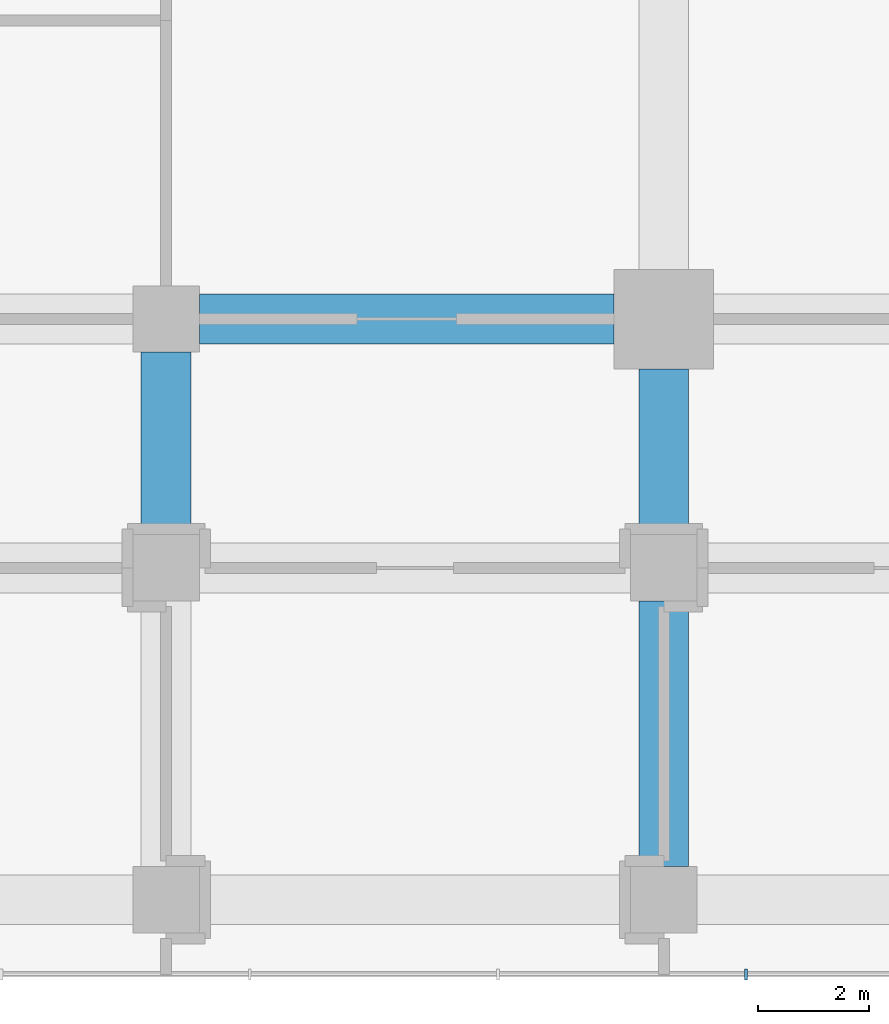
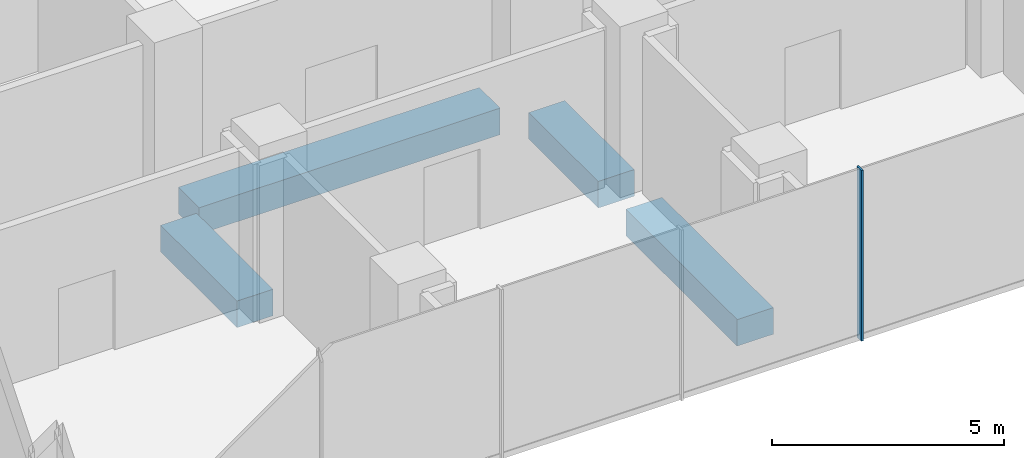
# One storey, part 6 of 43: 4 beams, 1 member, 1 element without a shape of its own.
"""IFC4 building model written with IfcOpenShell, lengths in metres."""

import ifcopenshell
import ifcopenshell.guid

model = None  # the IFC model being written
_history = None  # IfcOwnerHistory: only IFC2X3 demands one
_inside = {}  # id of a spatial element -> (the spatial element, [elements in it])
_under = {}  # id of a project, library or spatial element -> (it, [spatial elements below it])
_declared = {}  # id of a project -> (the project, [libraries it declares])
_typed = {}  # id of a type object -> (the type object, [elements of that type])
_made_of = {}  # id of a material, layer set ... -> (it, [elements and type objects made of it])


def new_model(schema):
    """Start an empty IFC model of exactly this schema.

    Asked for "IFC4X3", IfcOpenShell would pick the latest addendum, in which some entities
    have other attributes; the version numbers below select the first issue.
    IFC2X3 requires an IfcOwnerHistory on every rooted entity: one is made here for all.
    """
    global model, _history
    if schema == "IFC4X3":
        model = ifcopenshell.file(schema_version=(4, 3, 0, 0))
    else:
        model = ifcopenshell.file(schema=schema)
    _inside.clear()
    _under.clear()
    _declared.clear()
    _typed.clear()
    _made_of.clear()
    _history = None
    if model.schema == "IFC2X3":
        org = make("IfcOrganization", Name="unknown")
        user = make(
            "IfcPersonAndOrganization",
            ThePerson=make("IfcPerson", FamilyName="unknown"),
            TheOrganization=org,
        )
        app = make(
            "IfcApplication",
            ApplicationDeveloper=org,
            Version="unknown",
            ApplicationFullName="unknown",
            ApplicationIdentifier="unknown",
        )
        _history = make(
            "IfcOwnerHistory",
            OwningUser=user,
            OwningApplication=app,
            ChangeAction="ADDED",
            CreationDate=0,
        )
    return model


def make(cls, **values):
    """One entity of the class cls with the attributes given. An attribute that is None is left unset."""
    return model.create_entity(
        cls, **{name: value for name, value in values.items() if value is not None}
    )


def rooted(cls, **values):
    """An entity with a GlobalId (a new one), such as an element, a storey or a relation."""
    return make(cls, GlobalId=ifcopenshell.guid.new(), OwnerHistory=_history, **values)


def si_unit(unit_type, name, prefix=None):
    """IfcSIUnit, for example si_unit("LENGTHUNIT", "METRE", prefix="MILLI")."""
    return make("IfcSIUnit", UnitType=unit_type, Prefix=prefix, Name=name)


def assignment(units):
    """IfcUnitAssignment: the units of a project."""
    return None if units is None else make("IfcUnitAssignment", Units=units)


def point(xyz):
    """IfcCartesianPoint."""
    return None if xyz is None else make("IfcCartesianPoint", Coordinates=xyz)


def direction(xyz):
    """IfcDirection."""
    return None if xyz is None else make("IfcDirection", DirectionRatios=xyz)


def frame(location, z_axis=None, x_axis=None):
    """IfcAxis2Placement3D, a coordinate frame: its origin and axes. An axis left out is left unset."""
    return make(
        "IfcAxis2Placement3D",
        Location=point(location),
        Axis=direction(z_axis),
        RefDirection=direction(x_axis),
    )


def frame_2d(location, x_axis=None):
    """IfcAxis2Placement2D, a coordinate frame in the plane: its origin and x axis."""
    return make(
        "IfcAxis2Placement2D", Location=point(location), RefDirection=direction(x_axis)
    )


def origin():
    """The frame at (0, 0, 0) with its axes left unset."""
    return frame((0.0, 0.0, 0.0))


def origin_2d():
    """The frame at (0, 0) in the plane with its x axis left unset."""
    return frame_2d((0.0, 0.0))


def place(relative_to, where):
    """IfcLocalPlacement: puts the frame where relative to a parent placement (None: the world)."""
    return make(
        "IfcLocalPlacement", PlacementRelTo=relative_to, RelativePlacement=where
    )


def context(
    kind, dimensions, precision=None, world=None, true_north=None, identifier=None
):
    """IfcGeometricRepresentationContext, for example the 3D "Model" context."""
    return make(
        "IfcGeometricRepresentationContext",
        ContextIdentifier=identifier,
        ContextType=kind,
        CoordinateSpaceDimension=dimensions,
        Precision=precision,
        WorldCoordinateSystem=world,
        TrueNorth=true_north,
    )


def subcontext(parent, identifier, kind, view, scale=None):
    """IfcGeometricRepresentationSubContext, for example "Body" below "Model"."""
    return make(
        "IfcGeometricRepresentationSubContext",
        ContextIdentifier=identifier,
        ContextType=kind,
        ParentContext=parent,
        TargetScale=scale,
        TargetView=view,
    )


def project(units=None, contexts=None):
    """IfcProject with its units and contexts."""
    return rooted(
        "IfcProject",
        Name="project",
        RepresentationContexts=contexts,
        UnitsInContext=assignment(units),
    )


def spatial(cls, under=None, at=None, **own):
    """A site, building, storey or space (cls), placed at a placement, below another one or the project."""
    s = rooted(cls, ObjectPlacement=at, **own)
    if under is not None:
        _under.setdefault(under.id(), (under, []))[1].append(s)
    return s


def profile(cls, at=None, kind="AREA", **sizes):
    """A parametric profile (cls). Its sizes go by their IFC names, for example OverallWidth=200.0."""
    return make(cls, ProfileType=kind, Position=at, **sizes)


def rectangle(**sizes):
    """IfcRectangleProfileDef."""
    return profile("IfcRectangleProfileDef", **sizes)


def extrude(swept, where, along, depth):
    """IfcExtrudedAreaSolid: the profile swept, set in the frame where, extruded along a direction by depth."""
    return make(
        "IfcExtrudedAreaSolid",
        SweptArea=swept,
        Position=where,
        ExtrudedDirection=direction(along),
        Depth=depth,
    )


def shape(context_of_items, identifier, shape_type, items):
    """IfcShapeRepresentation: the items that make up one representation, for example the "Body"."""
    return make(
        "IfcShapeRepresentation",
        ContextOfItems=context_of_items,
        RepresentationIdentifier=identifier,
        RepresentationType=shape_type,
        Items=items,
    )


def material(Name=None, Category=None):
    """IfcMaterial."""
    return make("IfcMaterial", Name=Name, Category=Category)


def layer(
    of_material, thickness, ventilated=None, Name=None, Category=None, Priority=None
):
    """IfcMaterialLayer: one layer of a wall or slab, of a material (None: an air gap)."""
    return make(
        "IfcMaterialLayer",
        Material=of_material,
        LayerThickness=thickness,
        IsVentilated=ventilated,
        Name=Name,
        Category=Category,
        Priority=Priority,
    )


def layer_set(layers, Name=None):
    """IfcMaterialLayerSet."""
    return make("IfcMaterialLayerSet", MaterialLayers=layers, LayerSetName=Name)


def material_profile(
    of_material, cross_section, Name=None, Category=None, Priority=None
):
    """IfcMaterialProfile: a cross section and its material."""
    return make(
        "IfcMaterialProfile",
        Name=Name,
        Material=of_material,
        Profile=cross_section,
        Priority=Priority,
        Category=Category,
    )


def profile_set(profiles, Name=None, composite=None):
    """IfcMaterialProfileSet."""
    return make(
        "IfcMaterialProfileSet",
        Name=Name,
        MaterialProfiles=profiles,
        CompositeProfile=composite,
    )


def made_of(thing, what):
    """Note that an element or type object is made of a material, layer set ...; save() writes the relation."""
    if what is not None:
        _made_of.setdefault(what.id(), (what, []))[1].append(thing)
    return thing


def type_object(cls, material=None, **own):
    """A type object (cls), such as IfcWallType, which elements share."""
    return made_of(rooted(cls, **own), material)


def element(
    cls,
    number,
    at=None,
    inside=None,
    cuts=None,
    type_object=None,
    material=None,
    context=None,
    identifier="Body",
    shape_type=None,
    held_by="IfcProductDefinitionShape",
    body=None,
    shapes=None,
    **own,
):
    """One element of the class cls, such as IfcWall. Its Tag is "e" and its number.

    at: its placement. inside: the storey or other place that contains it. cuts: it is an
    opening in that element (IfcRelVoidsElement). A single representation is given by context,
    identifier, shape_type and body (its items); several are given by shapes. held_by: the class
    of the entity that holds the representations. save() writes the other relations.
    """
    e = rooted(cls, Tag="e%d" % number, ObjectPlacement=at, **own)
    if body is not None:
        shapes = [shape(context, identifier, shape_type, body)]
    if shapes is not None:
        e.Representation = make(held_by, Representations=shapes)
    if inside is not None:
        _inside.setdefault(inside.id(), (inside, []))[1].append(e)
    if cuts is not None:
        rooted(
            "IfcRelVoidsElement", RelatingBuildingElement=cuts, RelatedOpeningElement=e
        )
    if type_object is not None:
        _typed.setdefault(type_object.id(), (type_object, []))[1].append(e)
    return made_of(e, material)


def aggregate(whole, parts):
    """IfcRelAggregates: a whole, such as a stair, and the parts it consists of."""
    return rooted("IfcRelAggregates", RelatingObject=whole, RelatedObjects=parts)


def save(model, path):
    """Write the relations noted so far, then the file.

    IfcRelAggregates (storeys below a building ...), IfcRelContainedInSpatialStructure (elements
    in a storey), IfcRelDefinesByType, IfcRelAssociatesMaterial and IfcRelDeclares: one each for
    every whole, place, type object, material and project.
    """
    for whole, parts in _under.values():
        aggregate(whole, parts)
    for where, things in _inside.values():
        rooted(
            "IfcRelContainedInSpatialStructure",
            RelatedElements=things,
            RelatingStructure=where,
        )
    for kind, things in _typed.values():
        rooted("IfcRelDefinesByType", RelatedObjects=things, RelatingType=kind)
    for what, things in _made_of.values():
        rooted("IfcRelAssociatesMaterial", RelatedObjects=things, RelatingMaterial=what)
    for by, libraries in _declared.values():
        rooted("IfcRelDeclares", RelatingContext=by, RelatedDefinitions=libraries)
    model.write(path)


model = new_model("IFC4")

# Units and contexts
model_context = context("Model", 3, precision=1e-05, world=origin(), true_north=direction((0.0, 1.0)))
body_context = subcontext(model_context, "Body", "Model", "MODEL_VIEW")
ifc_project = project(units=[si_unit("LENGTHUNIT", "METRE"), si_unit("AREAUNIT", "SQUARE_METRE"), si_unit("VOLUMEUNIT", "CUBIC_METRE"), si_unit("PLANEANGLEUNIT", "RADIAN"), si_unit("MASSUNIT", "GRAM", prefix="KILO")], contexts=[model_context])

# Site, building, storey
site_placement = place(None, origin())
site = spatial("IfcSite", under=ifc_project, at=site_placement, CompositionType="ELEMENT")
building_placement = place(site_placement, origin())
building = spatial("IfcBuilding", under=site, at=building_placement, Name="Plateau Cross Towers", CompositionType="ELEMENT")
storey_placement = place(building_placement, frame((0.0, 0.0, 17.300048828125)))
storey = spatial("IfcBuildingStorey", under=building, at=storey_placement, Name="L03", CompositionType="ELEMENT", Elevation=17.300048828125)

# Curtain wall, member
ifc_material_1 = material(Name="Dark low-iron laminated glass", Category="glass")
ifc_layer = layer(ifc_material_1, 0.300048828125)
ifc_layer_set = layer_set([ifc_layer], Name="Dark low-iron laminated glass")
curtain_wall_type = type_object("IfcCurtainWallType", Name="Curtain wall structural silicone CW-C", PredefinedType="NOTDEFINED", material=ifc_layer_set)
curtain_wall_placement = place(storey_placement, origin())
curtain_wall = element("IfcCurtainWall", 1, at=curtain_wall_placement, inside=storey, type_object=curtain_wall_type, Name="ENV/P/L03/P-28_-118", PredefinedType="NOTDEFINED")
ifc_material_2 = material(Name="Black anodised aluminium", Category="aluminium")
ifc_material_profile_1 = material_profile(ifc_material_2, rectangle(XDim=0.050048828125, YDim=0.199951171875, at=origin_2d()), Name="MULLION 50x200")
ifc_profile_set_1 = profile_set([ifc_material_profile_1], Name="Black anodised aluminium")
member_type = type_object("IfcMemberType", Name="Mullion 50x200 structural silicone", PredefinedType="MULLION", material=ifc_profile_set_1)
member_placement = place(storey_placement, frame((55.487548828125, -11.85009765625, -0.35009765625), z_axis=(0.0, 0.0, 1.0), x_axis=(1.0, 0.0, 0.0)))
member = element("IfcMember", 2, at=member_placement, type_object=member_type, Name="CW-C mullion 14", PredefinedType="MULLION", context=body_context, shape_type="SweptSolid", body=[
    extrude(rectangle(XDim=0.050048828125, YDim=0.199951171875, at=origin_2d()), origin(), (0.0, 0.0, 1.0), 4.5),
])
aggregate(curtain_wall, [member])

# Beams
ifc_material_3 = material(Name="Concrete C50/60", Category="concrete")
ifc_material_profile_2 = material_profile(ifc_material_3, rectangle(XDim=0.89990234375, YDim=0.699951171875, at=origin_2d()), Name="RC 900x700")
ifc_profile_set_2 = profile_set([ifc_material_profile_2], Name="Concrete C50/60")
beam_type = type_object("IfcBeamType", Name="Podium band beam RC 900x700", PredefinedType="BEAM", material=ifc_profile_set_2)
beam_1_placement = place(storey_placement, frame((45.60009765625, 0.0, -0.699951171875), z_axis=(1.0, 0.0, 0.0), x_axis=(0.0, 1.0, 0.0)))
element("IfcBeam", 3, at=beam_1_placement, inside=storey, type_object=beam_type, Name="PB24@L03", PredefinedType="BEAM", context=body_context, shape_type="SweptSolid", body=[
    extrude(rectangle(XDim=0.89990234375, YDim=0.699951171875, at=origin_2d()), origin(), (0.0, 0.0, 1.0), 7.5),
])
beam_2_placement = place(storey_placement, frame((45.0, -3.89990234375, -0.699951171875), z_axis=(0.0, 1.0, 0.0), x_axis=(-1.0, 0.0, 0.0)))
element("IfcBeam", 4, at=beam_2_placement, inside=storey, type_object=beam_type, Name="PB133@L03", PredefinedType="BEAM", context=body_context, shape_type="SweptSolid", body=[
    extrude(rectangle(XDim=0.89990234375, YDim=0.699951171875, at=origin_2d()), origin(), (0.0, 0.0, 1.0), 3.2998046875),
])
beam_3_placement = place(storey_placement, frame((54.0, -9.89990234375, -0.699951171875), z_axis=(0.0, 1.0, 0.0), x_axis=(-1.0, 0.0, 0.0)))
element("IfcBeam", 5, at=beam_3_placement, inside=storey, type_object=beam_type, Name="PB139@L03", PredefinedType="BEAM", context=body_context, shape_type="SweptSolid", body=[
    extrude(rectangle(XDim=0.89990234375, YDim=0.699951171875, at=origin_2d()), origin(), (0.0, 0.0, 1.0), 4.7998046875),
])
beam_4_placement = place(storey_placement, frame((54.0, -3.89990234375, -0.699951171875), z_axis=(0.0, 1.0, 0.0), x_axis=(-1.0, 0.0, 0.0)))
element("IfcBeam", 6, at=beam_4_placement, inside=storey, type_object=beam_type, Name="PB140@L03", PredefinedType="BEAM", context=body_context, shape_type="SweptSolid", body=[
    extrude(rectangle(XDim=0.89990234375, YDim=0.699951171875, at=origin_2d()), origin(), (0.0, 0.0, 1.0), 3.0),
])

save(model, "model.ifc")
